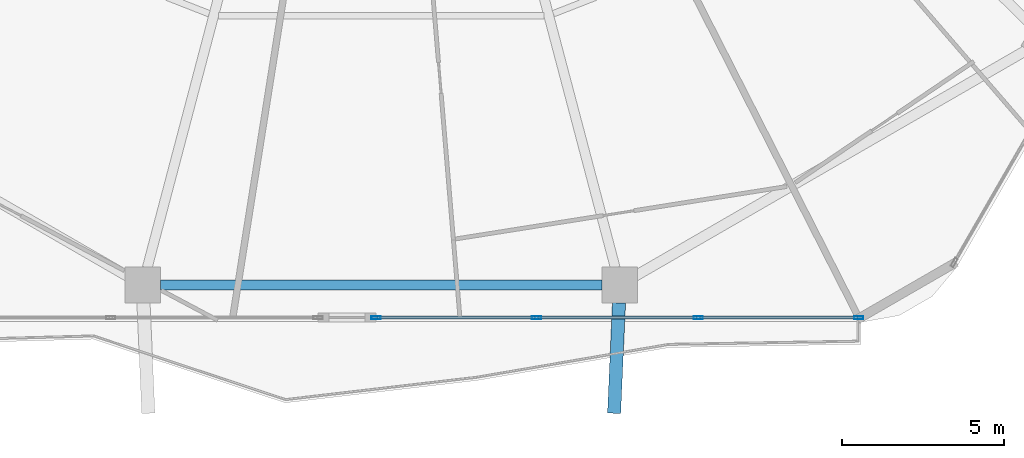
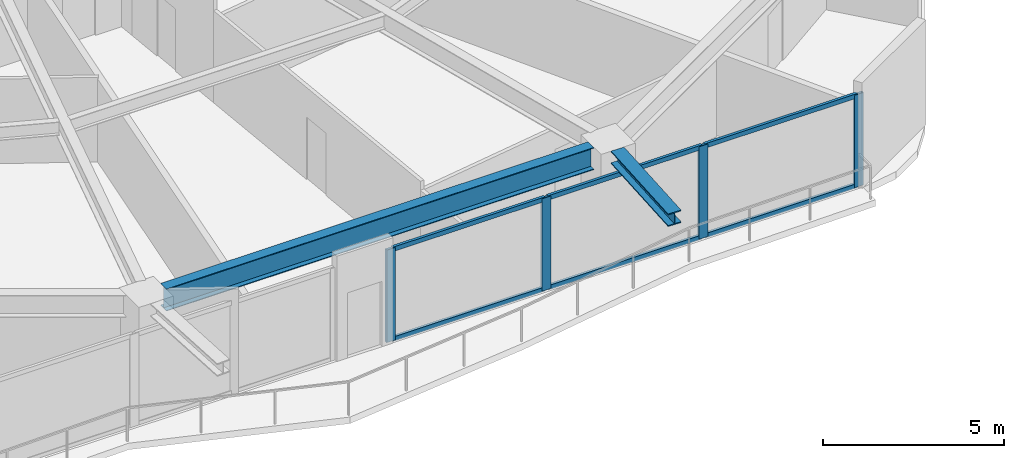
# One storey, part 7 of 33: 10 members, 2 beams, 1 element without a shape of its own.
"""IFC4 building model written with IfcOpenShell, lengths in metres."""

import ifcopenshell
import ifcopenshell.guid

model = None  # the IFC model being written
_history = None  # IfcOwnerHistory: only IFC2X3 demands one
_inside = {}  # id of a spatial element -> (the spatial element, [elements in it])
_under = {}  # id of a project, library or spatial element -> (it, [spatial elements below it])
_declared = {}  # id of a project -> (the project, [libraries it declares])
_typed = {}  # id of a type object -> (the type object, [elements of that type])
_made_of = {}  # id of a material, layer set ... -> (it, [elements and type objects made of it])


def new_model(schema):
    """Start an empty IFC model of exactly this schema.

    Asked for "IFC4X3", IfcOpenShell would pick the latest addendum, in which some entities
    have other attributes; the version numbers below select the first issue.
    IFC2X3 requires an IfcOwnerHistory on every rooted entity: one is made here for all.
    """
    global model, _history
    if schema == "IFC4X3":
        model = ifcopenshell.file(schema_version=(4, 3, 0, 0))
    else:
        model = ifcopenshell.file(schema=schema)
    _inside.clear()
    _under.clear()
    _declared.clear()
    _typed.clear()
    _made_of.clear()
    _history = None
    if model.schema == "IFC2X3":
        org = make("IfcOrganization", Name="unknown")
        user = make(
            "IfcPersonAndOrganization",
            ThePerson=make("IfcPerson", FamilyName="unknown"),
            TheOrganization=org,
        )
        app = make(
            "IfcApplication",
            ApplicationDeveloper=org,
            Version="unknown",
            ApplicationFullName="unknown",
            ApplicationIdentifier="unknown",
        )
        _history = make(
            "IfcOwnerHistory",
            OwningUser=user,
            OwningApplication=app,
            ChangeAction="ADDED",
            CreationDate=0,
        )
    return model


def make(cls, **values):
    """One entity of the class cls with the attributes given. An attribute that is None is left unset."""
    return model.create_entity(
        cls, **{name: value for name, value in values.items() if value is not None}
    )


def rooted(cls, **values):
    """An entity with a GlobalId (a new one), such as an element, a storey or a relation."""
    return make(cls, GlobalId=ifcopenshell.guid.new(), OwnerHistory=_history, **values)


def si_unit(unit_type, name, prefix=None):
    """IfcSIUnit, for example si_unit("LENGTHUNIT", "METRE", prefix="MILLI")."""
    return make("IfcSIUnit", UnitType=unit_type, Prefix=prefix, Name=name)


def assignment(units):
    """IfcUnitAssignment: the units of a project."""
    return None if units is None else make("IfcUnitAssignment", Units=units)


def point(xyz):
    """IfcCartesianPoint."""
    return None if xyz is None else make("IfcCartesianPoint", Coordinates=xyz)


def direction(xyz):
    """IfcDirection."""
    return None if xyz is None else make("IfcDirection", DirectionRatios=xyz)


def frame(location, z_axis=None, x_axis=None):
    """IfcAxis2Placement3D, a coordinate frame: its origin and axes. An axis left out is left unset."""
    return make(
        "IfcAxis2Placement3D",
        Location=point(location),
        Axis=direction(z_axis),
        RefDirection=direction(x_axis),
    )


def frame_2d(location, x_axis=None):
    """IfcAxis2Placement2D, a coordinate frame in the plane: its origin and x axis."""
    return make(
        "IfcAxis2Placement2D", Location=point(location), RefDirection=direction(x_axis)
    )


def origin():
    """The frame at (0, 0, 0) with its axes left unset."""
    return frame((0.0, 0.0, 0.0))


def origin_2d():
    """The frame at (0, 0) in the plane with its x axis left unset."""
    return frame_2d((0.0, 0.0))


def place(relative_to, where):
    """IfcLocalPlacement: puts the frame where relative to a parent placement (None: the world)."""
    return make(
        "IfcLocalPlacement", PlacementRelTo=relative_to, RelativePlacement=where
    )


def context(
    kind, dimensions, precision=None, world=None, true_north=None, identifier=None
):
    """IfcGeometricRepresentationContext, for example the 3D "Model" context."""
    return make(
        "IfcGeometricRepresentationContext",
        ContextIdentifier=identifier,
        ContextType=kind,
        CoordinateSpaceDimension=dimensions,
        Precision=precision,
        WorldCoordinateSystem=world,
        TrueNorth=true_north,
    )


def subcontext(parent, identifier, kind, view, scale=None):
    """IfcGeometricRepresentationSubContext, for example "Body" below "Model"."""
    return make(
        "IfcGeometricRepresentationSubContext",
        ContextIdentifier=identifier,
        ContextType=kind,
        ParentContext=parent,
        TargetScale=scale,
        TargetView=view,
    )


def project(units=None, contexts=None):
    """IfcProject with its units and contexts."""
    return rooted(
        "IfcProject",
        Name="project",
        RepresentationContexts=contexts,
        UnitsInContext=assignment(units),
    )


def spatial(cls, under=None, at=None, **own):
    """A site, building, storey or space (cls), placed at a placement, below another one or the project."""
    s = rooted(cls, ObjectPlacement=at, **own)
    if under is not None:
        _under.setdefault(under.id(), (under, []))[1].append(s)
    return s


def profile(cls, at=None, kind="AREA", **sizes):
    """A parametric profile (cls). Its sizes go by their IFC names, for example OverallWidth=200.0."""
    return make(cls, ProfileType=kind, Position=at, **sizes)


def hollow_rectangle(**sizes):
    """IfcRectangleHollowProfileDef."""
    return profile("IfcRectangleHollowProfileDef", **sizes)


def i_section(**sizes):
    """IfcIShapeProfileDef."""
    return profile("IfcIShapeProfileDef", **sizes)


def extrude(swept, where, along, depth):
    """IfcExtrudedAreaSolid: the profile swept, set in the frame where, extruded along a direction by depth."""
    return make(
        "IfcExtrudedAreaSolid",
        SweptArea=swept,
        Position=where,
        ExtrudedDirection=direction(along),
        Depth=depth,
    )


def shape(context_of_items, identifier, shape_type, items):
    """IfcShapeRepresentation: the items that make up one representation, for example the "Body"."""
    return make(
        "IfcShapeRepresentation",
        ContextOfItems=context_of_items,
        RepresentationIdentifier=identifier,
        RepresentationType=shape_type,
        Items=items,
    )


def material(Name=None, Category=None):
    """IfcMaterial."""
    return make("IfcMaterial", Name=Name, Category=Category)


def material_profile(
    of_material, cross_section, Name=None, Category=None, Priority=None
):
    """IfcMaterialProfile: a cross section and its material."""
    return make(
        "IfcMaterialProfile",
        Name=Name,
        Material=of_material,
        Profile=cross_section,
        Priority=Priority,
        Category=Category,
    )


def profile_set(profiles, Name=None, composite=None):
    """IfcMaterialProfileSet."""
    return make(
        "IfcMaterialProfileSet",
        Name=Name,
        MaterialProfiles=profiles,
        CompositeProfile=composite,
    )


def made_of(thing, what):
    """Note that an element or type object is made of a material, layer set ...; save() writes the relation."""
    if what is not None:
        _made_of.setdefault(what.id(), (what, []))[1].append(thing)
    return thing


def type_object(cls, material=None, **own):
    """A type object (cls), such as IfcWallType, which elements share."""
    return made_of(rooted(cls, **own), material)


def element(
    cls,
    number,
    at=None,
    inside=None,
    cuts=None,
    type_object=None,
    material=None,
    context=None,
    identifier="Body",
    shape_type=None,
    held_by="IfcProductDefinitionShape",
    body=None,
    shapes=None,
    **own,
):
    """One element of the class cls, such as IfcWall. Its Tag is "e" and its number.

    at: its placement. inside: the storey or other place that contains it. cuts: it is an
    opening in that element (IfcRelVoidsElement). A single representation is given by context,
    identifier, shape_type and body (its items); several are given by shapes. held_by: the class
    of the entity that holds the representations. save() writes the other relations.
    """
    e = rooted(cls, Tag="e%d" % number, ObjectPlacement=at, **own)
    if body is not None:
        shapes = [shape(context, identifier, shape_type, body)]
    if shapes is not None:
        e.Representation = make(held_by, Representations=shapes)
    if inside is not None:
        _inside.setdefault(inside.id(), (inside, []))[1].append(e)
    if cuts is not None:
        rooted(
            "IfcRelVoidsElement", RelatingBuildingElement=cuts, RelatedOpeningElement=e
        )
    if type_object is not None:
        _typed.setdefault(type_object.id(), (type_object, []))[1].append(e)
    return made_of(e, material)


def aggregate(whole, parts):
    """IfcRelAggregates: a whole, such as a stair, and the parts it consists of."""
    return rooted("IfcRelAggregates", RelatingObject=whole, RelatedObjects=parts)


def save(model, path):
    """Write the relations noted so far, then the file.

    IfcRelAggregates (storeys below a building ...), IfcRelContainedInSpatialStructure (elements
    in a storey), IfcRelDefinesByType, IfcRelAssociatesMaterial and IfcRelDeclares: one each for
    every whole, place, type object, material and project.
    """
    for whole, parts in _under.values():
        aggregate(whole, parts)
    for where, things in _inside.values():
        rooted(
            "IfcRelContainedInSpatialStructure",
            RelatedElements=things,
            RelatingStructure=where,
        )
    for kind, things in _typed.values():
        rooted("IfcRelDefinesByType", RelatedObjects=things, RelatingType=kind)
    for what, things in _made_of.values():
        rooted("IfcRelAssociatesMaterial", RelatedObjects=things, RelatingMaterial=what)
    for by, libraries in _declared.values():
        rooted("IfcRelDeclares", RelatingContext=by, RelatedDefinitions=libraries)
    model.write(path)


model = new_model("IFC4")

# Units and contexts
model_context = context("Model", 3, precision=1e-05, world=origin(), true_north=direction((0.0, 1.0)))
body_context = subcontext(model_context, "Body", "Model", "MODEL_VIEW")
ifc_project = project(units=[si_unit("LENGTHUNIT", "METRE"), si_unit("AREAUNIT", "SQUARE_METRE"), si_unit("VOLUMEUNIT", "CUBIC_METRE"), si_unit("PLANEANGLEUNIT", "RADIAN"), si_unit("MASSUNIT", "GRAM", prefix="KILO")], contexts=[model_context])

# Site, building, storey
site_placement = place(None, origin())
site = spatial("IfcSite", under=ifc_project, at=site_placement, CompositionType="ELEMENT")
building_placement = place(site_placement, origin())
building = spatial("IfcBuilding", under=site, at=building_placement, Name="Zuhravey Tower", CompositionType="ELEMENT")
storey_placement = place(building_placement, frame((0.0, 0.0, 126.60009765625)))
storey = spatial("IfcBuildingStorey", under=building, at=storey_placement, Name="L31", CompositionType="ELEMENT", Elevation=126.60009765625)

# Curtain wall, members
ifc_material_1 = material(Name="Thermally broken anodised aluminium", Category="aluminium")
curtain_wall_type = type_object("IfcCurtainWallType", Name="Zone 1-2 Residential Curtain Wall CW3", PredefinedType="NOTDEFINED", material=ifc_material_1)
curtain_wall_placement = place(storey_placement, origin())
curtain_wall = element("IfcCurtainWall", 1, at=curtain_wall_placement, inside=storey, type_object=curtain_wall_type, Name="L31 CW3 CW-L31-F5-1", PredefinedType="NOTDEFINED")
ifc_material_2 = material(Name="Anodised aluminium", Category="aluminium")
ifc_material_profile_1 = material_profile(ifc_material_2, hollow_rectangle(XDim=0.090087890625, YDim=0.284912109375, WallThickness=0.0048828125, at=origin_2d()), Name="ALU-RHS-90x285x5")
ifc_profile_set_1 = profile_set([ifc_material_profile_1], Name="Anodised aluminium")
member_type_1 = type_object("IfcMemberType", Name="Curtain-Wall Mullion 90x180", PredefinedType="MULLION", material=ifc_profile_set_1)
member_1_placement = place(storey_placement, frame((50.75439453125, 3.04150390625, 0.0), z_axis=(0.0, 0.0, 1.0), x_axis=(0.0, -1.0, 0.0)))
member_1 = element("IfcMember", 2, at=member_1_placement, type_object=member_type_1, Name="CW3 mullion 1", PredefinedType="MULLION", context=body_context, shape_type="SweptSolid", body=[
    extrude(hollow_rectangle(XDim=0.090087890625, YDim=0.284912109375, WallThickness=0.0048828125, at=origin_2d()), origin(), (0.0, 0.0, 1.0), 3.121826171875),
])
member_2_placement = place(storey_placement, frame((45.797607421875, 3.04150390625, 0.0), z_axis=(0.0, 0.0, 1.0), x_axis=(0.0, -1.0, 0.0)))
member_2 = element("IfcMember", 3, at=member_2_placement, type_object=member_type_1, Name="CW3 mullion 2", PredefinedType="MULLION", context=body_context, shape_type="SweptSolid", body=[
    extrude(hollow_rectangle(XDim=0.090087890625, YDim=0.284912109375, WallThickness=0.0048828125, at=origin_2d()), origin(), (0.0, 0.0, 1.0), 3.121826171875),
])
member_3_placement = place(storey_placement, frame((40.795654296875, 3.04150390625, 0.0), z_axis=(0.0, 0.0, 1.0), x_axis=(0.0, -1.0, 0.0)))
member_3 = element("IfcMember", 4, at=member_3_placement, type_object=member_type_1, Name="CW3 mullion 3", PredefinedType="MULLION", context=body_context, shape_type="SweptSolid", body=[
    extrude(hollow_rectangle(XDim=0.090087890625, YDim=0.284912109375, WallThickness=0.0048828125, at=origin_2d()), origin(), (0.0, 0.0, 1.0), 3.121826171875),
])
member_4_placement = place(storey_placement, frame((35.8388671875, 3.04150390625, 0.0), z_axis=(0.0, 0.0, 1.0), x_axis=(0.0, -1.0, 0.0)))
member_4 = element("IfcMember", 5, at=member_4_placement, type_object=member_type_1, Name="CW3 mullion 4", PredefinedType="MULLION", context=body_context, shape_type="SweptSolid", body=[
    extrude(hollow_rectangle(XDim=0.090087890625, YDim=0.284912109375, WallThickness=0.0048828125, at=origin_2d()), origin(), (0.0, 0.0, 1.0), 3.121826171875),
])
ifc_material_profile_2 = material_profile(ifc_material_2, hollow_rectangle(XDim=0.090087890625, YDim=0.14990234375, WallThickness=0.0048828125, at=origin_2d()), Name="ALU-RHS-90x150x5")
ifc_profile_set_2 = profile_set([ifc_material_profile_2], Name="Anodised aluminium")
member_type_2 = type_object("IfcMemberType", Name="Curtain-Wall Transom 90x150", PredefinedType="USERDEFINED", material=ifc_profile_set_2)
member_5_placement = place(storey_placement, frame((50.70947265625, 3.04150390625, 0.044921875), z_axis=(-1.0, 0.0, 0.0), x_axis=(0.0, -1.0, 0.0)))
member_5 = element("IfcMember", 6, at=member_5_placement, type_object=member_type_2, Name="CW3 transom 1.1", ObjectType="TRANSOM", PredefinedType="USERDEFINED", context=body_context, shape_type="SweptSolid", body=[
    extrude(hollow_rectangle(XDim=0.090087890625, YDim=0.14990234375, WallThickness=0.0048828125, at=origin_2d()), origin(), (0.0, 0.0, 1.0), 4.866943359375),
])
member_6_placement = place(storey_placement, frame((50.70947265625, 3.04150390625, 3.076904296875), z_axis=(-1.0, 0.0, 0.0), x_axis=(0.0, -1.0, 0.0)))
member_6 = element("IfcMember", 7, at=member_6_placement, type_object=member_type_2, Name="CW3 transom 1.2", ObjectType="TRANSOM", PredefinedType="USERDEFINED", context=body_context, shape_type="SweptSolid", body=[
    extrude(hollow_rectangle(XDim=0.090087890625, YDim=0.14990234375, WallThickness=0.0048828125, at=origin_2d()), origin(), (0.0, 0.0, 1.0), 4.866943359375),
])
member_7_placement = place(storey_placement, frame((45.752685546875, 3.04150390625, 0.044921875), z_axis=(-1.0, 0.0, 0.0), x_axis=(0.0, -1.0, 0.0)))
member_7 = element("IfcMember", 8, at=member_7_placement, type_object=member_type_2, Name="CW3 transom 2.1", ObjectType="TRANSOM", PredefinedType="USERDEFINED", context=body_context, shape_type="SweptSolid", body=[
    extrude(hollow_rectangle(XDim=0.090087890625, YDim=0.14990234375, WallThickness=0.0048828125, at=origin_2d()), origin(), (0.0, 0.0, 1.0), 4.911865234375),
])
member_8_placement = place(storey_placement, frame((45.752685546875, 3.04150390625, 3.076904296875), z_axis=(-1.0, 0.0, 0.0), x_axis=(0.0, -1.0, 0.0)))
member_8 = element("IfcMember", 9, at=member_8_placement, type_object=member_type_2, Name="CW3 transom 2.2", ObjectType="TRANSOM", PredefinedType="USERDEFINED", context=body_context, shape_type="SweptSolid", body=[
    extrude(hollow_rectangle(XDim=0.090087890625, YDim=0.14990234375, WallThickness=0.0048828125, at=origin_2d()), origin(), (0.0, 0.0, 1.0), 4.911865234375),
])
member_9_placement = place(storey_placement, frame((40.750732421875, 3.04150390625, 0.044921875), z_axis=(-1.0, 0.0, 0.0), x_axis=(0.0, -1.0, 0.0)))
member_9 = element("IfcMember", 10, at=member_9_placement, type_object=member_type_2, Name="CW3 transom 3.1", ObjectType="TRANSOM", PredefinedType="USERDEFINED", context=body_context, shape_type="SweptSolid", body=[
    extrude(hollow_rectangle(XDim=0.090087890625, YDim=0.14990234375, WallThickness=0.0048828125, at=origin_2d()), origin(), (0.0, 0.0, 1.0), 4.866943359375),
])
member_10_placement = place(storey_placement, frame((40.750732421875, 3.04150390625, 3.076904296875), z_axis=(-1.0, 0.0, 0.0), x_axis=(0.0, -1.0, 0.0)))
member_10 = element("IfcMember", 11, at=member_10_placement, type_object=member_type_2, Name="CW3 transom 3.2", ObjectType="TRANSOM", PredefinedType="USERDEFINED", context=body_context, shape_type="SweptSolid", body=[
    extrude(hollow_rectangle(XDim=0.090087890625, YDim=0.14990234375, WallThickness=0.0048828125, at=origin_2d()), origin(), (0.0, 0.0, 1.0), 4.866943359375),
])
aggregate(curtain_wall, [member_1, member_2, member_3, member_4, member_5, member_6, member_7, member_8, member_9, member_10])

# Beams
ifc_material_3 = material(Name="Steel SM460", Category="steel")
ifc_material_profile_3 = material_profile(ifc_material_3, i_section(OverallWidth=0.406982421875, OverallDepth=0.427978515625, WebThickness=0.02001953125, FlangeThickness=0.034912109375, at=origin_2d()), Name="H-428x407x20x35")
ifc_profile_set_3 = profile_set([ifc_material_profile_3], Name="Steel SM460")
beam_type_1 = type_object("IfcBeamType", Name="Exoskeleton Node Tie Beam H428x407", PredefinedType="BEAM", material=ifc_profile_set_3)
beam_1_placement = place(storey_placement, frame((43.345458984375, 3.49755859375, 3.3359375), z_axis=(-0.044188115875, -0.999023228166, 0.0), x_axis=(0.999023228166, -0.044188115875, 0.0)))
element("IfcBeam", 12, at=beam_1_placement, inside=storey, type_object=beam_type_1, Name="L31 Exoskeleton Node Tie NT1-10", PredefinedType="BEAM", context=body_context, shape_type="SweptSolid", body=[
    extrude(i_section(OverallWidth=0.406982421875, OverallDepth=0.427978515625, WebThickness=0.02001953125, FlangeThickness=0.034912109375, at=origin_2d()), origin(), (0.0, 0.0, 1.0), 3.41455078125),
])
ifc_material_4 = material(Name="Steel SM355", Category="steel")
ifc_material_profile_4 = material_profile(ifc_material_4, i_section(OverallWidth=0.320068359375, OverallDepth=0.75, WebThickness=0.013916015625, FlangeThickness=0.02490234375, at=origin_2d()), Name="H-750x320x14x25")
ifc_profile_set_4 = profile_set([ifc_material_profile_4], Name="Steel SM355")
beam_type_2 = type_object("IfcBeamType", Name="Perimeter Ring Beam H750x320", PredefinedType="BEAM", material=ifc_profile_set_4)
beam_2_placement = place(storey_placement, frame((29.18310546875, 4.051513671875, 3.1748046875), z_axis=(1.0, 0.0, 0.0), x_axis=(0.0, 1.0, 0.0)))
element("IfcBeam", 13, at=beam_2_placement, inside=storey, type_object=beam_type_2, Name="L31 PB1 BM-L31-PB-09", PredefinedType="BEAM", context=body_context, shape_type="SweptSolid", body=[
    extrude(i_section(OverallWidth=0.320068359375, OverallDepth=0.75, WebThickness=0.013916015625, FlangeThickness=0.02490234375, at=origin_2d()), origin(), (0.0, 0.0, 1.0), 13.6337890625),
])

save(model, "model.ifc")
